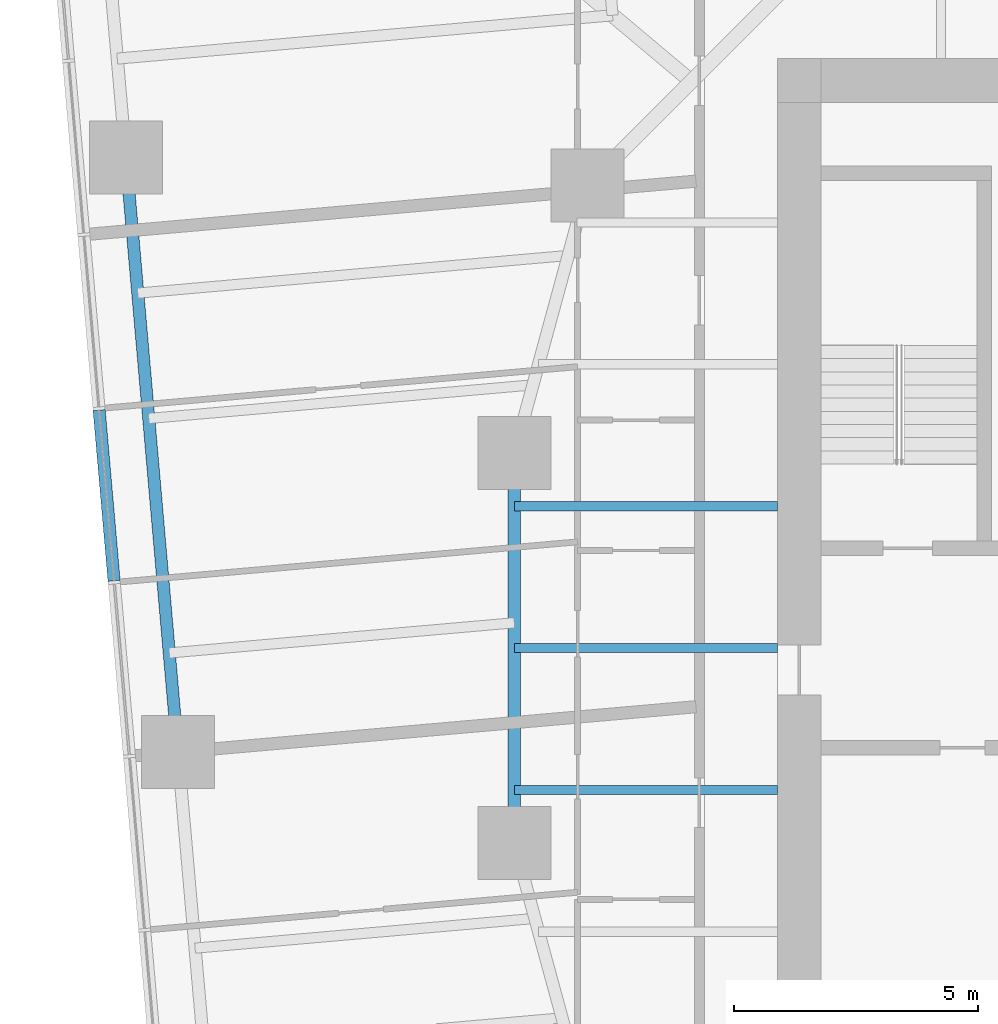
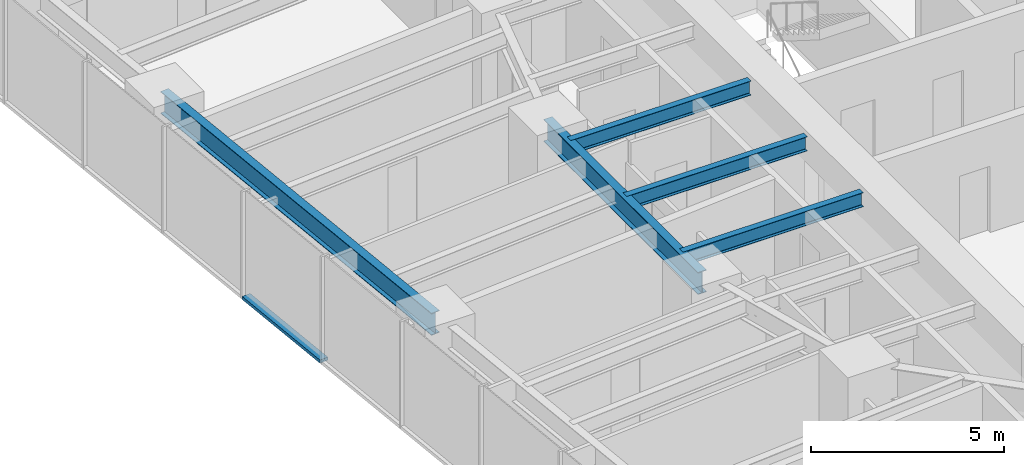
# One storey, part 3 of 14: 5 beams, 1 member, 1 element without a shape of its own.
"""IFC4 building model written with IfcOpenShell, lengths in metres."""

from ifc_helpers import new_model, si_unit, direction, frame, origin, origin_2d, place, context, subcontext, project, spatial, rectangle, i_section, extrude, material, material_profile, profile_set, type_object, element, aggregate, save


model = new_model("IFC4")

# Units and contexts
model_context = context("Model", 3, precision=1e-05, world=origin(), true_north=direction((0.0, 1.0)))
body_context = subcontext(model_context, "Body", "Model", "MODEL_VIEW")
ifc_project = project(units=[si_unit("LENGTHUNIT", "METRE"), si_unit("AREAUNIT", "SQUARE_METRE"), si_unit("VOLUMEUNIT", "CUBIC_METRE"), si_unit("PLANEANGLEUNIT", "RADIAN"), si_unit("MASSUNIT", "GRAM", prefix="KILO")], contexts=[model_context])

# Site, building, storey
site_placement = place(None, origin())
site = spatial("IfcSite", under=ifc_project, at=site_placement, CompositionType="ELEMENT")
building_placement = place(site_placement, origin())
building = spatial("IfcBuilding", under=site, at=building_placement, Name="Torsade Residences", CompositionType="ELEMENT")
storey_placement = place(building_placement, frame((0.0, 0.0, 57.39990234375)))
storey = spatial("IfcBuildingStorey", under=building, at=storey_placement, Name="L15", CompositionType="ELEMENT", Elevation=57.39990234375)

# Curtain wall, member
ifc_material_1 = material(Name="Aluminium and glass", Category="aluminium")
curtain_wall_type = type_object("IfcCurtainWallType", Name="FRITTED GLASS CURTAIN WALL LOW ZONE", PredefinedType="NOTDEFINED", material=ifc_material_1)
curtain_wall_placement = place(storey_placement, origin())
curtain_wall = element("IfcCurtainWall", 1, at=curtain_wall_placement, inside=storey, type_object=curtain_wall_type, Name="Curtain wall L15 face 10", PredefinedType="NOTDEFINED")
ifc_material_2 = material(Name="Aluminium transom", Category="aluminium")
ifc_material_profile_1 = material_profile(ifc_material_2, rectangle(XDim=0.25, YDim=0.10009765625, at=origin_2d()), Name="CURTAIN WALL TRANSOM 250x100")
ifc_profile_set_1 = profile_set([ifc_material_profile_1], Name="Aluminium transom")
member_type = type_object("IfcMemberType", Name="CURTAIN WALL TRANSOM 250x100", PredefinedType="USERDEFINED", material=ifc_profile_set_1)
member_placement = place(storey_placement, frame((13.975341796875, 34.884521484375, 0.050048828125), z_axis=(0.087156620531, -0.996194621295, 0.0), x_axis=(0.996194621295, 0.087156620531, 0.0)))
member = element("IfcMember", 2, at=member_placement, type_object=member_type, Name="Transom 5.1", ObjectType="TRANSOM", PredefinedType="USERDEFINED", context=body_context, shape_type="SweptSolid", body=[
    extrude(rectangle(XDim=0.25, YDim=0.10009765625, at=origin_2d()), origin(), (0.0, 0.0, 1.0), 3.518310546875),
])
aggregate(curtain_wall, [member])

# Beams
ifc_material_3 = material(Name="Steel grade 300", Category="steel")
ifc_material_profile_2 = material_profile(ifc_material_3, i_section(OverallWidth=0.25, OverallDepth=0.699951171875, WebThickness=0.010009765625, FlangeThickness=0.02001953125, at=origin_2d()), Name="700WB130")
ifc_profile_set_2 = profile_set([ifc_material_profile_2], Name="Steel grade 300")
beam_type_1 = type_object("IfcBeamType", Name="EDGE BEAM 700WB130", PredefinedType="SPANDREL", material=ifc_profile_set_2)
beam_1_placement = place(storey_placement, frame((14.525634765625, 40.068115234375, 2.900146484375), z_axis=(0.08715335259, -0.996194907201, 0.0), x_axis=(0.996194907201, 0.08715335259, 0.0)))
element("IfcBeam", 3, at=beam_1_placement, inside=storey, type_object=beam_type_1, Name="Edge beam 14 L16", PredefinedType="SPANDREL", context=body_context, shape_type="SweptSolid", body=[
    extrude(i_section(OverallWidth=0.25, OverallDepth=0.699951171875, WebThickness=0.010009765625, FlangeThickness=0.02001953125, at=origin_2d()), origin(), (0.0, 0.0, 1.0), 12.25),
])
ifc_material_4 = material(Name="Steel grade 300", Category="steel")
ifc_material_profile_3 = material_profile(ifc_material_4, i_section(OverallWidth=0.18994140625, OverallDepth=0.4541015625, WebThickness=0.008544921875, FlangeThickness=0.0126953125, FilletRadius=0.011474609375, at=origin_2d()), Name="460UB67.1")
ifc_profile_set_3 = profile_set([ifc_material_profile_3], Name="Steel grade 300")
beam_type_2 = type_object("IfcBeamType", Name="INNER FLOOR BEAM 460UB67.1", PredefinedType="JOIST", material=ifc_profile_set_3)
for number, where, z_axis, x_axis, name in (
    (4, (27.89990234375, 32.91259765625, 3.023193359375), (-1.0, 0.0, 0.0), (0.0, -1.0, 0.0), "Inner floor beam IW03 L16"),
    (5, (27.89990234375, 30.0, 3.023193359375), (-1.0, 0.0, 0.0), (0.0, -1.0, 0.0), "Inner floor beam IW04 L16"),
    (6, (27.89990234375, 27.08740234375, 3.023193359375), (-1.0, 0.0, 0.0), (0.0, -1.0, 0.0), "Inner floor beam IW05 L16"),
):
    element("IfcBeam", number, at=place(storey_placement, frame(where, z_axis=z_axis, x_axis=x_axis)), inside=storey, type_object=beam_type_2, Name=name, PredefinedType="JOIST", context=body_context, shape_type="SweptSolid", body=[
        extrude(i_section(OverallWidth=0.18994140625, OverallDepth=0.4541015625, WebThickness=0.008544921875, FlangeThickness=0.0126953125, FilletRadius=0.011474609375, at=origin_2d()), origin(), (0.0, 0.0, 1.0), 5.39990234375),
    ])
ifc_material_5 = material(Name="Steel grade 300", Category="steel")
ifc_material_profile_4 = material_profile(ifc_material_5, i_section(OverallWidth=0.25, OverallDepth=0.699951171875, WebThickness=0.010009765625, FlangeThickness=0.02001953125, at=origin_2d()), Name="700WB130")
ifc_profile_set_4 = profile_set([ifc_material_profile_4], Name="Steel grade 300")
beam_type_3 = type_object("IfcBeamType", Name="RING GIRDER 700WB130", PredefinedType="BEAM", material=ifc_profile_set_4)
beam_2_placement = place(storey_placement, frame((22.5, 34.0, 2.900146484375), z_axis=(0.0, -1.0, 0.0), x_axis=(1.0, 0.0, 0.0)))
element("IfcBeam", 7, at=beam_2_placement, inside=storey, type_object=beam_type_3, Name="Ring girder IR09 L16", PredefinedType="BEAM", context=body_context, shape_type="SweptSolid", body=[
    extrude(i_section(OverallWidth=0.25, OverallDepth=0.699951171875, WebThickness=0.010009765625, FlangeThickness=0.02001953125, at=origin_2d()), origin(), (0.0, 0.0, 1.0), 8.0),
])

save(model, "model.ifc")
